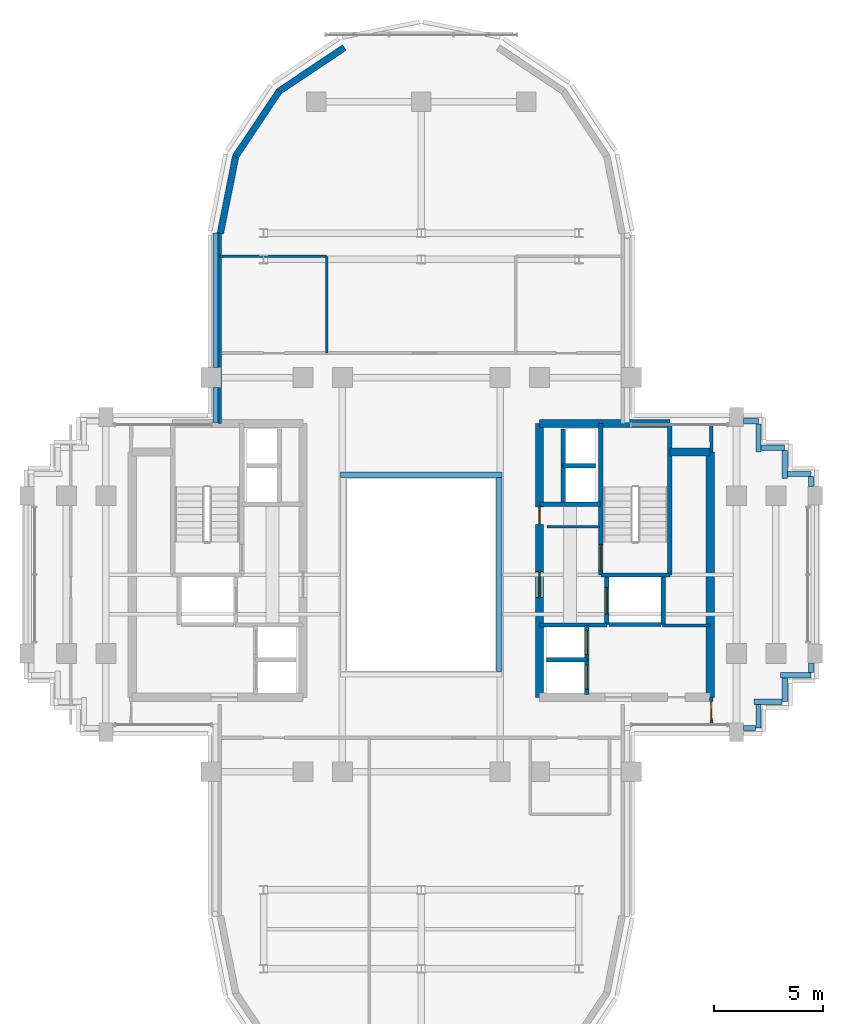
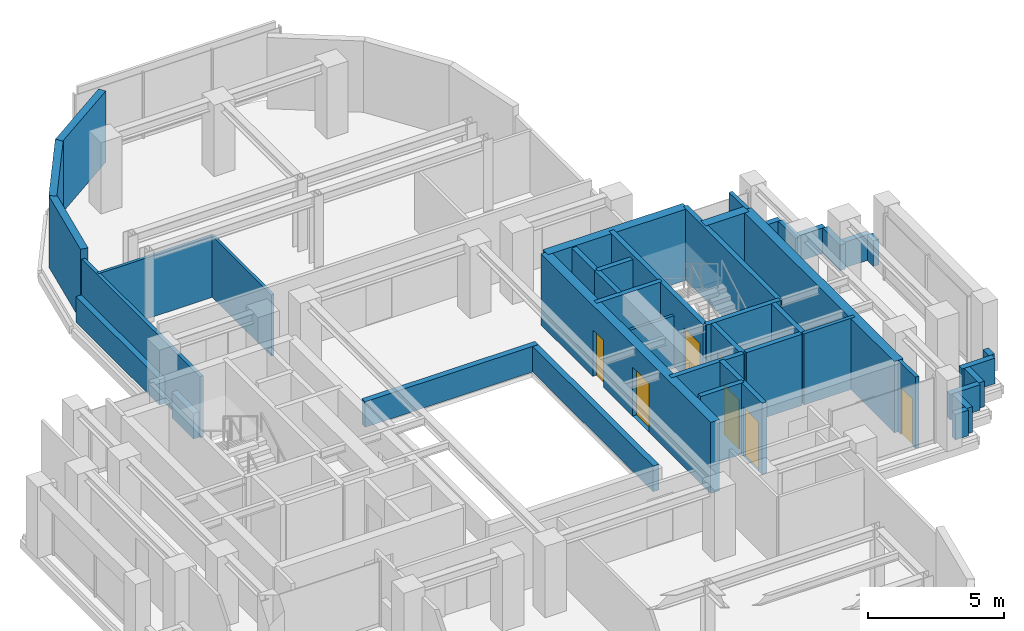
# One storey, part 7 of 11: 44 walls, 7 doors, 7 openings.
"""IFC4 building model written with IfcOpenShell, lengths in metres."""

from ifc_helpers import new_model, si_unit, direction, frame, frame_2d, origin, place, context, subcontext, project, spatial, rectangle, extrude, source, transform, mapped, material, layer, layer_set, type_object, element, fill, save


model = new_model("IFC4")

# Units and contexts
model_context = context("Model", 3, precision=1e-05, world=origin(), true_north=direction((0.0, 1.0)))
body_context = subcontext(model_context, "Body", "Model", "MODEL_VIEW")
ifc_project = project(units=[si_unit("LENGTHUNIT", "METRE"), si_unit("AREAUNIT", "SQUARE_METRE"), si_unit("VOLUMEUNIT", "CUBIC_METRE"), si_unit("PLANEANGLEUNIT", "RADIAN"), si_unit("MASSUNIT", "GRAM", prefix="KILO")], contexts=[model_context])

# Site, building, storey
site_placement = place(None, origin())
site = spatial("IfcSite", under=ifc_project, at=site_placement, CompositionType="ELEMENT")
building_placement = place(site_placement, origin())
building = spatial("IfcBuilding", under=site, at=building_placement, Name="Keilestroom Media Tower", CompositionType="ELEMENT")
storey_placement = place(building_placement, frame((0.0, 0.0, 174.0)))
storey = spatial("IfcBuildingStorey", under=building, at=storey_placement, Name="L47", CompositionType="ELEMENT", Elevation=174.0)

# Walls
ifc_material_1 = material(Name="Precast concrete C40/50", Category="concrete")
ifc_layer_1 = layer(ifc_material_1, 0.300048828125)
ifc_layer_set_1 = layer_set([ifc_layer_1], Name="Precast concrete C40/50")
wall_type_1 = type_object("IfcWallType", Name="Exterior-Masonry-Spandrel-Wall-300", PredefinedType="SOLIDWALL", material=ifc_layer_set_1)
wall_1_placement = place(storey_placement, frame((-3.510009765625, 24.073486328125, 0.0), z_axis=(0.0, 0.0, 1.0), x_axis=(-0.8314749531, -0.555562239868, 0.0)))
element("IfcWall", 1, at=wall_1_placement, inside=storey, type_object=wall_type_1, Name="L47 Lobe Facet Precast Frame Wall 04", PredefinedType="SOLIDWALL", context=body_context, shape_type="SweptSolid", body=[
    extrude(rectangle(XDim=3.59326171875, YDim=0.300048828125, at=frame_2d((1.796630859375, 0.0))), origin(), (0.0, 0.0, 1.0), 3.199951171875),
])
for number, where, z_axis, x_axis, name in (
    (2, (-6.47705078125, 22.097900390625, 0.0), (0.0, 0.0, 1.0), (-0.555574187116, -0.831466970246, 0.0), "L47 Lobe Facet Precast Frame Wall 05"),
    (3, (-8.470703125, 19.12451171875, 0.0), (0.0, 0.0, 1.0), (-0.195114232679, -0.980780523974, 0.0), "L47 Lobe Facet Precast Frame Wall 06"),
):
    element("IfcWall", number, at=place(storey_placement, frame(where, z_axis=z_axis, x_axis=x_axis)), inside=storey, type_object=wall_type_1, Name=name, PredefinedType="SOLIDWALL", context=body_context, shape_type="SweptSolid", body=[
        extrude(rectangle(XDim=3.608642578125, YDim=0.300048828125, at=frame_2d((1.80419921875, 0.0))), origin(), (0.0, 0.0, 1.0), 3.199951171875),
    ])
ifc_material_2 = material(Name="Gypsum Plasterboard & Steel Stud", Category="steel")
ifc_layer_2 = layer(ifc_material_2, 0.1201171875)
ifc_layer_set_2 = layer_set([ifc_layer_2], Name="Gypsum Plasterboard & Steel Stud")
wall_type_2 = type_object("IfcWallType", Name="Interior-Partition-Wall-120", PredefinedType="PARTITIONING", material=ifc_layer_set_2)
wall_2_placement = place(storey_placement, frame((5.75, 2.179931640625, 0.0), z_axis=(0.0, 0.0, 1.0), x_axis=(1.0, 0.0, 0.0)))
element("IfcWall", 4, at=wall_2_placement, inside=storey, type_object=wall_type_2, Name="L47 Interior Wall WP-L47-CIE-S", PredefinedType="PARTITIONING", context=body_context, shape_type="SweptSolid", body=[
    extrude(rectangle(XDim=2.389892578125, YDim=0.1201171875, at=frame_2d((1.19482421875, 0.0))), origin(), (0.0, 0.0, 1.0), 2.300048828125),
])
wall_3_placement = place(storey_placement, frame((-9.199951171875, 14.5400390625, 0.0), z_axis=(0.0, 0.0, 1.0), x_axis=(1.0, 0.0, 0.0)))
element("IfcWall", 5, at=wall_3_placement, inside=storey, type_object=wall_type_2, Name="L47 Interior Wall WP-L47-NL-HW", PredefinedType="PARTITIONING", context=body_context, shape_type="SweptSolid", body=[
    extrude(rectangle(XDim=4.8798828125, YDim=0.1201171875, at=frame_2d((2.43994140625, 0.0))), origin(), (0.0, 0.0, 1.0), 2.75),
])
wall_4_placement = place(storey_placement, frame((-4.320068359375, 10.1201171875, 0.0), z_axis=(0.0, 0.0, 1.0), x_axis=(0.0, 1.0, 0.0)))
element("IfcWall", 6, at=wall_4_placement, inside=storey, type_object=wall_type_2, Name="L47 Interior Wall WP-L47-NL-VW2", PredefinedType="PARTITIONING", context=body_context, shape_type="SweptSolid", body=[
    extrude(rectangle(XDim=4.419921875, YDim=0.1201171875, at=frame_2d((2.2099609375, 0.0))), origin(), (0.0, 0.0, 1.0), 2.75),
])
ifc_layer_3 = layer(ifc_material_2, 0.14990234375)
ifc_layer_set_3 = layer_set([ifc_layer_3], Name="Gypsum Plasterboard & Steel Stud")
wall_type_3 = type_object("IfcWallType", Name="Interior-Partition-Wall-150", PredefinedType="PARTITIONING", material=ifc_layer_set_3)
wall_5_placement = place(storey_placement, frame((11.02001953125, -2.320068359375, 0.0), z_axis=(0.0, 0.0, 1.0), x_axis=(1.0, 0.0, 0.0)))
element("IfcWall", 7, at=wall_5_placement, inside=storey, type_object=wall_type_3, Name="L47 Interior Wall WP-L47-RECLE-N", PredefinedType="PARTITIONING", context=body_context, shape_type="SweptSolid", body=[
    extrude(rectangle(XDim=2.179931640625, YDim=0.14990234375, at=frame_2d((1.08984375, 0.0))), origin(), (0.0, 0.0, 1.0), 3.199951171875),
])
wall_6_placement = place(storey_placement, frame((-9.199951171875, 6.89990234375, 0.0), z_axis=(0.0, 0.0, 1.0), x_axis=(0.0, 1.0, 0.0)))
element("IfcWall", 8, at=wall_6_placement, inside=storey, type_object=wall_type_3, Name="L47 Interior Wall WP-L47-NL-CHKW", PredefinedType="PARTITIONING", context=body_context, shape_type="SweptSolid", body=[
    extrude(rectangle(XDim=8.780029296875, YDim=0.14990234375, at=frame_2d((4.39013671875, 0.0))), origin(), (0.0, 0.0, 1.0), 2.75),
])
wall_7_placement = place(storey_placement, frame((13.260009765625, 5.60009765625, 0.0), z_axis=(0.0, 0.0, 1.0), x_axis=(-0.016013571389, 0.999871774545, 0.0)))
element("IfcWall", 9, at=wall_7_placement, inside=storey, type_object=wall_type_3, Name="L47 Interior Wall WP-L47-EA-ENTN", PredefinedType="PARTITIONING", context=body_context, shape_type="SweptSolid", body=[
    extrude(rectangle(XDim=1.250244140625, YDim=0.14990234375, at=frame_2d((0.625, 0.0))), origin(), (0.0, 0.0, 1.0), 3.199951171875),
])

# Wall, opening, door
wall_8_placement = place(storey_placement, frame((13.260009765625, -6.85009765625, 0.0), z_axis=(0.0, 0.0, 1.0), x_axis=(-0.016013571389, 0.999871774545, 0.0)))
wall_8 = element("IfcWall", 10, at=wall_8_placement, inside=storey, type_object=wall_type_3, Name="L47 Interior Wall WP-L47-EA-ENTS", PredefinedType="PARTITIONING", context=body_context, shape_type="SweptSolid", body=[
    extrude(rectangle(XDim=1.250244140625, YDim=0.14990234375, at=frame_2d((0.625, 0.0))), origin(), (0.0, 0.0, 1.0), 3.199951171875),
])
opening_1_placement = place(wall_8_placement, frame((0.199951171875, 0.0, 0.0)))
opening_1 = element("IfcOpeningElement", 11, at=opening_1_placement, cuts=wall_8, Name="Opening DI-05", PredefinedType="OPENING", context=body_context, shape_type="SweptSolid", body=[
    extrude(rectangle(XDim=0.85009765625, YDim=2.10009765625, at=frame_2d((0.425048828125, 1.050048828125))), frame((0.0, 0.0849609375, 0.0), z_axis=(0.0, -1.0, 0.0), x_axis=(1.0, 0.0, 0.0)), (0.0, 0.0, 1.0), 0.169921875),
])
ifc_material_3 = material(Name="Moisture-Resistant Oak Leaf", Category="wood")
door_type_1 = type_object("IfcDoorType", Name="Interior-En-Suite-And-Cupboard-Door-DI-05", OperationType="NOTDEFINED", PredefinedType="DOOR", material=ifc_material_3)
shared_shape_1 = source(origin(), body_context, "Body", "SweptSolid", [
    extrude(rectangle(XDim=0.85009765625, YDim=2.10009765625, at=frame_2d((0.425048828125, 1.050048828125))), frame((0.0, 0.02490234375, 0.0), z_axis=(0.0, -1.0, 0.0), x_axis=(1.0, 0.0, 0.0)), (0.0, 0.0, 1.0), 0.050048828125),
])
door_1_placement = place(opening_1_placement, origin())
door_1 = element("IfcDoor", 12, at=door_1_placement, inside=storey, type_object=door_type_1, Name="L47 Interior Door DI-L47-DEA-S", OperationType="SINGLE_SWING_RIGHT", OverallHeight=2.10009765625, OverallWidth=0.85009765625, PredefinedType="DOOR", context=body_context, shape_type="MappedRepresentation", body=[
    mapped(shared_shape_1, transform((0.0, 0.0, 0.0), x_axis=(1.0, 0.0, 0.0), y_axis=(0.0, 1.0, 0.0), z_axis=(0.0, 0.0, 1.0), scale=1.0)),
])
fill(opening_1, door_1)

# Wall
ifc_material_4 = material(Name="Concrete C55/67", Category="concrete")
ifc_layer_4 = layer(ifc_material_4, 0.3798828125)
ifc_layer_set_4 = layer_set([ifc_layer_4], Name="Concrete C55/67")
wall_type_4 = type_object("IfcWallType", Name="Reinforced-Concrete-Core-Shear-Wall-380", PredefinedType="SHEAR", material=ifc_layer_set_4)
wall_9_placement = place(storey_placement, frame((13.199951171875, -5.60009765625, 0.0), z_axis=(0.0, 0.0, 1.0), x_axis=(0.0, 1.0, 0.0)))
element("IfcWall", 13, at=wall_9_placement, inside=storey, type_object=wall_type_4, Name="L47 Core Shear Wall WL-L47-CORE-E-OUT", PredefinedType="SHEAR", context=body_context, shape_type="SweptSolid", body=[
    extrude(rectangle(XDim=11.2001953125, YDim=0.3798828125, at=frame_2d((5.60009765625, 0.0))), origin(), (0.0, 0.0, 1.0), 3.199951171875),
])

# Wall, openings, doors
wall_10_placement = place(storey_placement, frame((5.39990234375, -5.60009765625, 0.0), z_axis=(0.0, 0.0, 1.0), x_axis=(0.0, 1.0, 0.0)))
wall_10 = element("IfcWall", 14, at=wall_10_placement, inside=storey, type_object=wall_type_4, Name="L47 Core Shear Wall WL-L47-CORE-E-IN", PredefinedType="SHEAR", context=body_context, shape_type="SweptSolid", body=[
    extrude(rectangle(XDim=12.5, YDim=0.3798828125, at=frame_2d((6.25, 0.0))), origin(), (0.0, 0.0, 1.0), 3.199951171875),
])
opening_2_placement = place(wall_10_placement, frame((4.550048828125, 0.0, 0.0)))
opening_2 = element("IfcOpeningElement", 15, at=opening_2_placement, cuts=wall_10, Name="Opening DI-02", PredefinedType="OPENING", context=body_context, shape_type="SweptSolid", body=[
    extrude(rectangle(XDim=1.199951171875, YDim=2.199951171875, at=frame_2d((0.60009765625, 1.10009765625))), frame((0.0, 0.199951171875, 0.0), z_axis=(0.0, -1.0, 0.0), x_axis=(1.0, 0.0, 0.0)), (0.0, 0.0, 1.0), 0.39990234375),
])
opening_3_placement = place(wall_10_placement, frame((7.8798828125, 0.0, 0.0)))
opening_3 = element("IfcOpeningElement", 16, at=opening_3_placement, cuts=wall_10, Name="Opening DI-06", PredefinedType="OPENING", context=body_context, shape_type="SweptSolid", body=[
    extrude(rectangle(XDim=0.800048828125, YDim=2.10009765625, at=frame_2d((0.39990234375, 1.050048828125))), frame((0.0, 0.199951171875, 0.0), z_axis=(0.0, -1.0, 0.0), x_axis=(1.0, 0.0, 0.0)), (0.0, 0.0, 1.0), 0.39990234375),
])
ifc_material_5 = material(Name="Powder-Coated Steel Fire Leaf", Category="steel")
door_type_2 = type_object("IfcDoorType", Name="Interior-Compartment-Fire-Door-DI-02", OperationType="NOTDEFINED", PredefinedType="DOOR", material=ifc_material_5)
shared_shape_2 = source(origin(), body_context, "Body", "SweptSolid", [
    extrude(rectangle(XDim=1.199951171875, YDim=2.199951171875, at=frame_2d((0.60009765625, 1.10009765625))), frame((0.0, 0.02490234375, 0.0), z_axis=(0.0, -1.0, 0.0), x_axis=(1.0, 0.0, 0.0)), (0.0, 0.0, 1.0), 0.050048828125),
])
door_2_placement = place(opening_2_placement, origin())
door_2 = element("IfcDoor", 17, at=door_2_placement, inside=storey, type_object=door_type_2, Name="L47 E Firefighting Lobby Door", OperationType="SINGLE_SWING_LEFT", OverallHeight=2.199951171875, OverallWidth=1.199951171875, PredefinedType="DOOR", context=body_context, shape_type="MappedRepresentation", body=[
    mapped(shared_shape_2, transform((0.0, 0.0, 0.0), x_axis=(1.0, 0.0, 0.0), y_axis=(0.0, 1.0, 0.0), z_axis=(0.0, 0.0, 1.0), scale=1.0)),
])
fill(opening_2, door_2)
ifc_material_6 = material(Name="Powder-Coated Steel Service Leaf", Category="steel")
door_type_3 = type_object("IfcDoorType", Name="Interior-Riser-Access-Door-DI-06", OperationType="NOTDEFINED", PredefinedType="DOOR", material=ifc_material_6)
shared_shape_3 = source(origin(), body_context, "Body", "SweptSolid", [
    extrude(rectangle(XDim=0.800048828125, YDim=2.10009765625, at=frame_2d((0.39990234375, 1.050048828125))), frame((0.0, 0.02490234375, 0.0), z_axis=(0.0, -1.0, 0.0), x_axis=(1.0, 0.0, 0.0)), (0.0, 0.0, 1.0), 0.050048828125),
])
door_3_placement = place(opening_3_placement, origin())
door_3 = element("IfcDoor", 18, at=door_3_placement, inside=storey, type_object=door_type_3, Name="L47 East Core Closet Door", OperationType="SINGLE_SWING_RIGHT", OverallHeight=2.10009765625, OverallWidth=0.800048828125, PredefinedType="DOOR", context=body_context, shape_type="MappedRepresentation", body=[
    mapped(shared_shape_3, transform((0.0, 0.0, 0.0), x_axis=(1.0, 0.0, 0.0), y_axis=(0.0, 1.0, 0.0), z_axis=(0.0, 0.0, 1.0), scale=1.0)),
])
fill(opening_3, door_3)

# Walls
wall_11_placement = place(storey_placement, frame((5.39990234375, 6.89990234375, 0.0), z_axis=(0.0, 0.0, 1.0), x_axis=(1.0, 0.0, 0.0)))
element("IfcWall", 19, at=wall_11_placement, inside=storey, type_object=wall_type_4, Name="L47 Core Shear Wall WL-L47-CORE-E-N", PredefinedType="SHEAR", context=body_context, shape_type="SweptSolid", body=[
    extrude(rectangle(XDim=5.9560546875, YDim=0.3798828125, at=frame_2d((2.97802734375, 0.0))), origin(), (0.0, 0.0, 1.0), 3.199951171875),
])
wall_12_placement = place(storey_placement, frame((11.35595703125, 5.60009765625, 0.0), z_axis=(0.0, 0.0, 1.0), x_axis=(1.0, 0.0, 0.0)))
element("IfcWall", 20, at=wall_12_placement, inside=storey, type_object=wall_type_4, Name="L47 Core Shear Wall WL-L47-CNE-N", PredefinedType="SHEAR", context=body_context, shape_type="SweptSolid", body=[
    extrude(rectangle(XDim=1.843994140625, YDim=0.3798828125, at=frame_2d((0.921875, 0.0))), origin(), (0.0, 0.0, 1.0), 3.199951171875),
])
ifc_material_7 = material(Name="Concrete C50/60", Category="concrete")
ifc_layer_5 = layer(ifc_material_7, 0.199951171875)
ifc_layer_set_5 = layer_set([ifc_layer_5], Name="Concrete C50/60")
wall_type_5 = type_object("IfcWallType", Name="Reinforced-Concrete-Shaft-Wall-200", PredefinedType="SOLIDWALL", material=ifc_layer_set_5)
wall_13_placement = place(storey_placement, frame((5.39990234375, 3.219970703125, 0.0), z_axis=(0.0, 0.0, 1.0), x_axis=(1.0, 0.0, 0.0)))
element("IfcWall", 21, at=wall_13_placement, inside=storey, type_object=wall_type_5, Name="L47 Core Shear Wall WL-L47-CORE-E-FFN", PredefinedType="SOLIDWALL", context=body_context, shape_type="SweptSolid", body=[
    extrude(rectangle(XDim=2.780029296875, YDim=0.199951171875, at=frame_2d((1.39013671875, 0.0))), origin(), (0.0, 0.0, 1.0), 3.199951171875),
])
wall_14_placement = place(storey_placement, frame((5.39990234375, -2.300048828125, 0.0), z_axis=(0.0, 0.0, 1.0), x_axis=(1.0, 0.0, 0.0)))
element("IfcWall", 22, at=wall_14_placement, inside=storey, type_object=wall_type_5, Name="L47 Core Shear Wall WL-L47-CORE-E-FFS", PredefinedType="SOLIDWALL", context=body_context, shape_type="SweptSolid", body=[
    extrude(rectangle(XDim=3.080078125, YDim=0.199951171875, at=frame_2d((1.5400390625, 0.0))), origin(), (0.0, 0.0, 1.0), 3.199951171875),
])

# Wall, opening, door
wall_15_placement = place(storey_placement, frame((8.2041015625, -0.01611328125, 0.0), z_axis=(0.0, 0.0, 1.0), x_axis=(0.0, 1.0, 0.0)))
wall_15 = element("IfcWall", 23, at=wall_15_placement, inside=storey, type_object=wall_type_5, Name="L47 Core Shear Wall WL-L47-STW-E-NEAR", PredefinedType="SOLIDWALL", context=body_context, shape_type="SweptSolid", body=[
    extrude(rectangle(XDim=6.916015625, YDim=0.199951171875, at=frame_2d((3.4580078125, 0.0))), origin(), (0.0, 0.0, 1.0), 3.199951171875),
])
opening_4_placement = place(wall_15_placement, frame((0.199951171875, 0.0, 0.0)))
opening_4 = element("IfcOpeningElement", 24, at=opening_4_placement, cuts=wall_15, Name="Opening DI-01S", PredefinedType="OPENING", context=body_context, shape_type="SweptSolid", body=[
    extrude(rectangle(XDim=1.199951171875, YDim=2.199951171875, at=frame_2d((0.60009765625, 1.10009765625))), frame((0.0, 0.10986328125, 0.0), z_axis=(0.0, -1.0, 0.0), x_axis=(1.0, 0.0, 0.0)), (0.0, 0.0, 1.0), 0.219970703125),
])
door_type_4 = type_object("IfcDoorType", Name="Interior-Stair-And-Core-Fire-Door-DI-01", OperationType="NOTDEFINED", PredefinedType="DOOR", material=ifc_material_5)
door_4_placement = place(opening_4_placement, origin())
door_4 = element("IfcDoor", 25, at=door_4_placement, inside=storey, type_object=door_type_4, Name="L47 Escape Stair ST-2 Fire Door", OperationType="SINGLE_SWING_RIGHT", OverallHeight=2.199951171875, OverallWidth=1.199951171875, PredefinedType="DOOR", context=body_context, shape_type="MappedRepresentation", body=[
    mapped(shared_shape_2, transform((0.0, 0.0, 0.0), x_axis=(1.0, 0.0, 0.0), y_axis=(0.0, 1.0, 0.0), z_axis=(0.0, 0.0, 1.0), scale=1.0)),
])
fill(opening_4, door_4)

# Walls
wall_16_placement = place(storey_placement, frame((11.35595703125, -0.01611328125, 0.0), z_axis=(0.0, 0.0, 1.0), x_axis=(0.0, 1.0, 0.0)))
element("IfcWall", 26, at=wall_16_placement, inside=storey, type_object=wall_type_5, Name="L47 Core Shear Wall WL-L47-STW-E-FAR", PredefinedType="SOLIDWALL", context=body_context, shape_type="SweptSolid", body=[
    extrude(rectangle(XDim=6.916015625, YDim=0.199951171875, at=frame_2d((3.4580078125, 0.0))), origin(), (0.0, 0.0, 1.0), 3.199951171875),
])
wall_17_placement = place(storey_placement, frame((8.2041015625, -0.01611328125, 0.0), z_axis=(0.0, 0.0, 1.0), x_axis=(1.0, 0.0, 0.0)))
element("IfcWall", 27, at=wall_17_placement, inside=storey, type_object=wall_type_5, Name="L47 Core Shear Wall WL-L47-STW-E-S", PredefinedType="SOLIDWALL", context=body_context, shape_type="SweptSolid", body=[
    extrude(rectangle(XDim=3.15185546875, YDim=0.199951171875, at=frame_2d((1.575927734375, 0.0))), origin(), (0.0, 0.0, 1.0), 3.199951171875),
])

# Wall, opening, door
wall_18_placement = place(storey_placement, frame((8.47998046875, -2.280029296875, 0.0), z_axis=(0.0, 0.0, 1.0), x_axis=(0.0, 1.0, 0.0)))
wall_18 = element("IfcWall", 28, at=wall_18_placement, inside=storey, type_object=wall_type_5, Name="L47 Core Shear Wall WL-L47-LSH-FFL-2-W", PredefinedType="SOLIDWALL", context=body_context, shape_type="SweptSolid", body=[
    extrude(rectangle(XDim=2.179931640625, YDim=0.199951171875, at=frame_2d((1.08984375, 0.0))), origin(), (0.0, 0.0, 1.0), 3.199951171875),
])
opening_5_placement = place(wall_18_placement, frame((0.489990234375, 0.0, 0.0)))
opening_5 = element("IfcOpeningElement", 29, at=opening_5_placement, cuts=wall_18, Name="Opening LD-02", PredefinedType="OPENING", context=body_context, shape_type="SweptSolid", body=[
    extrude(rectangle(XDim=1.199951171875, YDim=2.199951171875, at=frame_2d((0.60009765625, 1.10009765625))), frame((0.0, 0.10986328125, 0.0), z_axis=(0.0, -1.0, 0.0), x_axis=(1.0, 0.0, 0.0)), (0.0, 0.0, 1.0), 0.219970703125),
])
ifc_material_8 = material(Name="Brushed Stainless Steel Sliding Leaf", Category="steel")
door_type_5 = type_object("IfcDoorType", Name="Lift-Landing-Sliding-Door-LD-02", OperationType="SLIDING_TO_RIGHT", PredefinedType="DOOR", material=ifc_material_8)
door_5_placement = place(opening_5_placement, origin())
door_5 = element("IfcDoor", 30, at=door_5_placement, inside=storey, type_object=door_type_5, Name="L47 Lift FFL-2 Landing Sliding Door", OperationType="SLIDING_TO_RIGHT", OverallHeight=2.199951171875, OverallWidth=1.199951171875, PredefinedType="DOOR", context=body_context, shape_type="MappedRepresentation", body=[
    mapped(shared_shape_2, transform((0.0, 0.0, 0.0), x_axis=(1.0, 0.0, 0.0), y_axis=(0.0, 1.0, 0.0), z_axis=(0.0, 0.0, 1.0), scale=1.0)),
])
fill(opening_5, door_5)

# Walls
wall_19_placement = place(storey_placement, frame((11.050048828125, -2.280029296875, 0.0), z_axis=(0.0, 0.0, 1.0), x_axis=(0.0, 1.0, 0.0)))
element("IfcWall", 31, at=wall_19_placement, inside=storey, type_object=wall_type_5, Name="L47 Core Shear Wall WL-L47-LSH-FFL-2-E", PredefinedType="SOLIDWALL", context=body_context, shape_type="SweptSolid", body=[
    extrude(rectangle(XDim=2.179931640625, YDim=0.199951171875, at=frame_2d((1.08984375, 0.0))), origin(), (0.0, 0.0, 1.0), 3.199951171875),
])
wall_20_placement = place(storey_placement, frame((8.583984375, -2.280029296875, 0.0), z_axis=(0.0, 0.0, 1.0), x_axis=(1.0, 0.0, 0.0)))
element("IfcWall", 32, at=wall_20_placement, inside=storey, type_object=wall_type_5, Name="L47 Core Shear Wall WL-L47-LSH-FFL-2-S", PredefinedType="SOLIDWALL", context=body_context, shape_type="SweptSolid", body=[
    extrude(rectangle(XDim=2.362060546875, YDim=0.199951171875, at=frame_2d((1.18115234375, 0.0))), origin(), (0.0, 0.0, 1.0), 3.199951171875),
])

# Wall, opening, door
wall_21_placement = place(storey_placement, frame((7.56005859375, -5.47998046875, 0.0), z_axis=(0.0, 0.0, 1.0), x_axis=(0.0, 1.0, 0.0)))
wall_21 = element("IfcWall", 33, at=wall_21_placement, inside=storey, type_object=wall_type_5, Name="L47 Core Shear Wall WL-L47-LSH-PL-M3-E", PredefinedType="SOLIDWALL", context=body_context, shape_type="SweptSolid", body=[
    extrude(rectangle(XDim=1.60009765625, YDim=0.199951171875, at=frame_2d((0.800048828125, 0.0))), origin(), (0.0, 0.0, 1.0), 3.199951171875),
])
opening_6_placement = place(wall_21_placement, frame((0.25, 0.0, 0.0)))
opening_6 = element("IfcOpeningElement", 34, at=opening_6_placement, cuts=wall_21, Name="Opening LD-01", PredefinedType="OPENING", context=body_context, shape_type="SweptSolid", body=[
    extrude(rectangle(XDim=1.10009765625, YDim=2.199951171875, at=frame_2d((0.550048828125, 1.10009765625))), frame((0.0, 0.10986328125, 0.0), z_axis=(0.0, -1.0, 0.0), x_axis=(1.0, 0.0, 0.0)), (0.0, 0.0, 1.0), 0.219970703125),
])
door_type_6 = type_object("IfcDoorType", Name="Lift-Landing-Sliding-Door-LD-01", OperationType="SLIDING_TO_LEFT", PredefinedType="DOOR", material=ifc_material_8)
shared_shape_4 = source(origin(), body_context, "Body", "SweptSolid", [
    extrude(rectangle(XDim=1.10009765625, YDim=2.199951171875, at=frame_2d((0.550048828125, 1.10009765625))), frame((0.0, 0.02490234375, 0.0), z_axis=(0.0, -1.0, 0.0), x_axis=(1.0, 0.0, 0.0)), (0.0, 0.0, 1.0), 0.050048828125),
])
door_6_placement = place(opening_6_placement, origin())
door_6 = element("IfcDoor", 35, at=door_6_placement, inside=storey, type_object=door_type_6, Name="L47 Lift PL-M3 Landing Sliding Door", OperationType="SLIDING_TO_LEFT", OverallHeight=2.199951171875, OverallWidth=1.10009765625, PredefinedType="DOOR", context=body_context, shape_type="MappedRepresentation", body=[
    mapped(shared_shape_4, transform((0.0, 0.0, 0.0), x_axis=(1.0, 0.0, 0.0), y_axis=(0.0, 1.0, 0.0), z_axis=(0.0, 0.0, 1.0), scale=1.0)),
])
fill(opening_6, door_6)

# Wall
wall_22_placement = place(storey_placement, frame((5.719970703125, -3.8798828125, 0.0), z_axis=(0.0, 0.0, 1.0), x_axis=(1.0, 0.0, 0.0)))
element("IfcWall", 36, at=wall_22_placement, inside=storey, type_object=wall_type_5, Name="L47 Core Shear Wall WL-L47-LSH-PL-M3-N", PredefinedType="SOLIDWALL", context=body_context, shape_type="SweptSolid", body=[
    extrude(rectangle(XDim=1.840087890625, YDim=0.199951171875, at=frame_2d((0.919921875, 0.0))), origin(), (0.0, 0.0, 1.0), 3.199951171875),
])

# Wall, opening, door
wall_23_placement = place(storey_placement, frame((7.56005859375, -3.8798828125, 0.0), z_axis=(0.0, 0.0, 1.0), x_axis=(0.0, 1.0, 0.0)))
wall_23 = element("IfcWall", 37, at=wall_23_placement, inside=storey, type_object=wall_type_5, Name="L47 Core Shear Wall WL-L47-LSH-PL-M4-E", PredefinedType="SOLIDWALL", context=body_context, shape_type="SweptSolid", body=[
    extrude(rectangle(XDim=1.559814453125, YDim=0.199951171875, at=frame_2d((0.77978515625, 0.0))), origin(), (0.0, 0.0, 1.0), 3.199951171875),
])
opening_7_placement = place(wall_23_placement, frame((0.22998046875, 0.0, 0.0)))
opening_7 = element("IfcOpeningElement", 38, at=opening_7_placement, cuts=wall_23, Name="Opening LD-01", PredefinedType="OPENING", context=body_context, shape_type="SweptSolid", body=[
    extrude(rectangle(XDim=1.10009765625, YDim=2.199951171875, at=frame_2d((0.550048828125, 1.10009765625))), frame((0.0, 0.10986328125, 0.0), z_axis=(0.0, -1.0, 0.0), x_axis=(1.0, 0.0, 0.0)), (0.0, 0.0, 1.0), 0.219970703125),
])
door_7_placement = place(opening_7_placement, origin())
door_7 = element("IfcDoor", 39, at=door_7_placement, inside=storey, type_object=door_type_6, Name="L47 Lift PL-M4 Landing Sliding Door", OperationType="SLIDING_TO_LEFT", OverallHeight=2.199951171875, OverallWidth=1.10009765625, PredefinedType="DOOR", context=body_context, shape_type="MappedRepresentation", body=[
    mapped(shared_shape_4, transform((0.0, 0.0, 0.0), x_axis=(1.0, 0.0, 0.0), y_axis=(0.0, 1.0, 0.0), z_axis=(0.0, 0.0, 1.0), scale=1.0)),
])
fill(opening_7, door_7)

# Walls
wall_24_placement = place(storey_placement, frame((6.47998046875, 3.300048828125, 0.0), z_axis=(0.0, 0.0, 1.0), x_axis=(0.0, 1.0, 0.0)))
element("IfcWall", 40, at=wall_24_placement, inside=storey, type_object=wall_type_5, Name="L47 Core Shear Wall WL-L47-LSH-PL-H3-W", PredefinedType="SOLIDWALL", context=body_context, shape_type="SweptSolid", body=[
    extrude(rectangle(XDim=1.679931640625, YDim=0.199951171875, at=frame_2d((0.83984375, 0.0))), origin(), (0.0, 0.0, 1.0), 3.199951171875),
])
wall_25_placement = place(storey_placement, frame((6.47998046875, 4.97998046875, 0.0), z_axis=(0.0, 0.0, 1.0), x_axis=(1.0, 0.0, 0.0)))
element("IfcWall", 41, at=wall_25_placement, inside=storey, type_object=wall_type_5, Name="L47 Core Shear Wall WL-L47-LSH-PL-H3-N", PredefinedType="SOLIDWALL", context=body_context, shape_type="SweptSolid", body=[
    extrude(rectangle(XDim=1.469970703125, YDim=0.199951171875, at=frame_2d((0.73486328125, 0.0))), origin(), (0.0, 0.0, 1.0), 3.199951171875),
])
wall_26_placement = place(storey_placement, frame((6.47998046875, 4.97998046875, 0.0), z_axis=(0.0, 0.0, 1.0), x_axis=(0.0, 1.0, 0.0)))
element("IfcWall", 42, at=wall_26_placement, inside=storey, type_object=wall_type_5, Name="L47 Core Shear Wall WL-L47-LSH-PL-H4-W", PredefinedType="SOLIDWALL", context=body_context, shape_type="SweptSolid", body=[
    extrude(rectangle(XDim=1.669921875, YDim=0.199951171875, at=frame_2d((0.8349609375, 0.0))), origin(), (0.0, 0.0, 1.0), 3.199951171875),
])
ifc_layer_6 = layer(ifc_material_1, 0.239990234375)
ifc_layer_set_6 = layer_set([ifc_layer_6], Name="Precast concrete C40/50")
wall_type_6 = type_object("IfcWallType", Name="Roof-And-Terrace-Parapet-Wall-240", PredefinedType="PARAPET", material=ifc_layer_set_6)
wall_27_placement = place(storey_placement, frame((17.800048828125, -4.60009765625, 0.0), z_axis=(0.0, 0.0, 1.0), x_axis=(-1.0, 0.0, 0.0)))
element("IfcWall", 43, at=wall_27_placement, inside=storey, type_object=wall_type_6, Name="L47 Perimeter Edge Parapet Wall 01", PredefinedType="PARAPET", context=body_context, shape_type="SweptSolid", body=[
    extrude(rectangle(XDim=1.400146484375, YDim=0.239990234375, at=frame_2d((0.7001953125, 0.0))), origin(), (0.0, 0.0, 1.0), 1.14990234375),
])
wall_28_placement = place(storey_placement, frame((16.60009765625, -4.722900390625, 0.0), z_axis=(0.0, 0.0, 1.0), x_axis=(0.0, -1.0, 0.0)))
element("IfcWall", 44, at=wall_28_placement, inside=storey, type_object=wall_type_6, Name="L47 Perimeter Edge Parapet Wall 02", PredefinedType="PARAPET", context=body_context, shape_type="SweptSolid", body=[
    extrude(rectangle(XDim=1.0771484375, YDim=0.239990234375, at=frame_2d((0.53857421875, 0.0))), origin(), (0.0, 0.0, 1.0), 1.14990234375),
])
wall_29_placement = place(storey_placement, frame((16.47705078125, -5.800048828125, 0.0), z_axis=(0.0, 0.0, 1.0), x_axis=(-1.0, 0.0, 0.0)))
element("IfcWall", 45, at=wall_29_placement, inside=storey, type_object=wall_type_6, Name="L47 Perimeter Edge Parapet Wall 03", PredefinedType="PARAPET", context=body_context, shape_type="SweptSolid", body=[
    extrude(rectangle(XDim=1.277099609375, YDim=0.239990234375, at=frame_2d((0.638671875, 0.0))), origin(), (0.0, 0.0, 1.0), 1.14990234375),
])
wall_30_placement = place(storey_placement, frame((15.39990234375, -5.923095703125, 0.0), z_axis=(0.0, 0.0, 1.0), x_axis=(0.0, -1.0, 0.0)))
element("IfcWall", 46, at=wall_30_placement, inside=storey, type_object=wall_type_6, Name="L47 Perimeter Edge Parapet Wall 04", PredefinedType="PARAPET", context=body_context, shape_type="SweptSolid", body=[
    extrude(rectangle(XDim=1.076904296875, YDim=0.239990234375, at=frame_2d((0.53857421875, 0.0))), origin(), (0.0, 0.0, 1.0), 1.14990234375),
])
wall_31_placement = place(storey_placement, frame((15.277099609375, -7.0, 0.0), z_axis=(0.0, 0.0, 1.0), x_axis=(-1.0, 0.0, 0.0)))
element("IfcWall", 47, at=wall_31_placement, inside=storey, type_object=wall_type_6, Name="L47 Perimeter Edge Parapet Wall 05", PredefinedType="PARAPET", context=body_context, shape_type="SweptSolid", body=[
    extrude(rectangle(XDim=0.549072265625, YDim=0.239990234375, at=frame_2d((0.2744140625, 0.0))), origin(), (0.0, 0.0, 1.0), 1.14990234375),
])
wall_32_placement = place(storey_placement, frame((-9.39990234375, 6.952880859375, 0.0), z_axis=(0.0, 0.0, 1.0), x_axis=(0.0, 1.0, 0.0)))
element("IfcWall", 48, at=wall_32_placement, inside=storey, type_object=wall_type_6, Name="L47 Perimeter Edge Parapet Wall 26", PredefinedType="PARAPET", context=body_context, shape_type="SweptSolid", body=[
    extrude(rectangle(XDim=1.59423828125, YDim=0.239990234375, at=frame_2d((0.797119140625, 0.0))), origin(), (0.0, 0.0, 1.0), 1.14990234375),
])
wall_33_placement = place(storey_placement, frame((-9.39990234375, 9.452880859375, 0.0), z_axis=(0.0, 0.0, 1.0), x_axis=(0.0, 1.0, 0.0)))
element("IfcWall", 49, at=wall_33_placement, inside=storey, type_object=wall_type_6, Name="L47 Perimeter Edge Parapet Wall 27", PredefinedType="PARAPET", context=body_context, shape_type="SweptSolid", body=[
    extrude(rectangle(XDim=6.14990234375, YDim=0.239990234375, at=frame_2d((3.074951171875, 0.0))), origin(), (0.0, 0.0, 1.0), 1.14990234375),
])
wall_34_placement = place(storey_placement, frame((14.72802734375, 7.0, 0.0), z_axis=(0.0, 0.0, 1.0), x_axis=(1.0, 0.0, 0.0)))
element("IfcWall", 50, at=wall_34_placement, inside=storey, type_object=wall_type_6, Name="L47 Perimeter Edge Parapet Wall 31", PredefinedType="PARAPET", context=body_context, shape_type="SweptSolid", body=[
    extrude(rectangle(XDim=0.671875, YDim=0.239990234375, at=frame_2d((0.3359375, 0.0))), origin(), (0.0, 0.0, 1.0), 1.14990234375),
])
wall_35_placement = place(storey_placement, frame((15.39990234375, 6.876953125, 0.0), z_axis=(0.0, 0.0, 1.0), x_axis=(0.0, -1.0, 0.0)))
element("IfcWall", 51, at=wall_35_placement, inside=storey, type_object=wall_type_6, Name="L47 Perimeter Edge Parapet Wall 32", PredefinedType="PARAPET", context=body_context, shape_type="SweptSolid", body=[
    extrude(rectangle(XDim=1.27685546875, YDim=0.239990234375, at=frame_2d((0.638427734375, 0.0))), origin(), (0.0, 0.0, 1.0), 1.14990234375),
])
wall_36_placement = place(storey_placement, frame((15.52294921875, 5.800048828125, 0.0), z_axis=(0.0, 0.0, 1.0), x_axis=(1.0, 0.0, 0.0)))
element("IfcWall", 52, at=wall_36_placement, inside=storey, type_object=wall_type_6, Name="L47 Perimeter Edge Parapet Wall 33", PredefinedType="PARAPET", context=body_context, shape_type="SweptSolid", body=[
    extrude(rectangle(XDim=1.0771484375, YDim=0.239990234375, at=frame_2d((0.53857421875, 0.0))), origin(), (0.0, 0.0, 1.0), 1.14990234375),
])
wall_37_placement = place(storey_placement, frame((16.60009765625, 5.677001953125, 0.0), z_axis=(0.0, 0.0, 1.0), x_axis=(0.0, -1.0, 0.0)))
element("IfcWall", 53, at=wall_37_placement, inside=storey, type_object=wall_type_6, Name="L47 Perimeter Edge Parapet Wall 34", PredefinedType="PARAPET", context=body_context, shape_type="SweptSolid", body=[
    extrude(rectangle(XDim=1.277099609375, YDim=0.239990234375, at=frame_2d((0.638671875, 0.0))), origin(), (0.0, 0.0, 1.0), 1.14990234375),
])
wall_38_placement = place(storey_placement, frame((16.722900390625, 4.60009765625, 0.0), z_axis=(0.0, 0.0, 1.0), x_axis=(1.0, 0.0, 0.0)))
element("IfcWall", 54, at=wall_38_placement, inside=storey, type_object=wall_type_6, Name="L47 Perimeter Edge Parapet Wall 35", PredefinedType="PARAPET", context=body_context, shape_type="SweptSolid", body=[
    extrude(rectangle(XDim=1.0771484375, YDim=0.239990234375, at=frame_2d((0.53857421875, 0.0))), origin(), (0.0, 0.0, 1.0), 1.14990234375),
])
for number, where, z_axis, x_axis, name in (
    (55, (17.800048828125, 4.47705078125, 0.0), (0.0, 0.0, 1.0), (0.0, -1.0, 0.0), "L47 Perimeter Edge Parapet Wall 36"),
    (56, (17.800048828125, -4.028076171875, 0.0), (0.0, 0.0, 1.0), (0.0, -1.0, 0.0), "L47 Perimeter Edge Parapet Wall 37"),
):
    element("IfcWall", number, at=place(storey_placement, frame(where, z_axis=z_axis, x_axis=x_axis)), inside=storey, type_object=wall_type_6, Name=name, PredefinedType="PARAPET", context=body_context, shape_type="SweptSolid", body=[
        extrude(rectangle(XDim=0.448974609375, YDim=0.239990234375, at=frame_2d((0.224609375, 0.0))), origin(), (0.0, 0.0, 1.0), 1.14990234375),
    ])
wall_39_placement = place(storey_placement, frame((-3.679931640625, 4.56005859375, 0.0), z_axis=(0.0, 0.0, 1.0), x_axis=(1.0, 0.0, 0.0)))
element("IfcWall", 57, at=wall_39_placement, inside=storey, type_object=wall_type_6, Name="L47 Central Atrium Guard Parapet N", PredefinedType="PARAPET", context=body_context, shape_type="SweptSolid", body=[
    extrude(rectangle(XDim=7.35986328125, YDim=0.239990234375, at=frame_2d((3.679931640625, 0.0))), origin(), (0.0, 0.0, 1.0), 1.14990234375),
])
wall_40_placement = place(storey_placement, frame((3.56005859375, -4.43505859375, 0.0), z_axis=(0.0, 0.0, 1.0), x_axis=(0.0, 1.0, 0.0)))
element("IfcWall", 58, at=wall_40_placement, inside=storey, type_object=wall_type_6, Name="L47 Central Atrium Guard Parapet E", PredefinedType="PARAPET", context=body_context, shape_type="SweptSolid", body=[
    extrude(rectangle(XDim=8.8701171875, YDim=0.239990234375, at=frame_2d((4.43505859375, 0.0))), origin(), (0.0, 0.0, 1.0), 1.14990234375),
])

save(model, "model.ifc")
